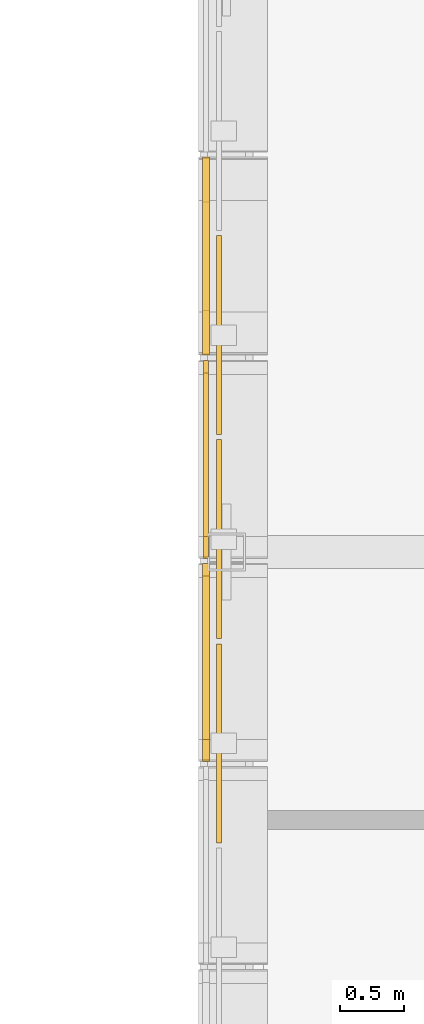
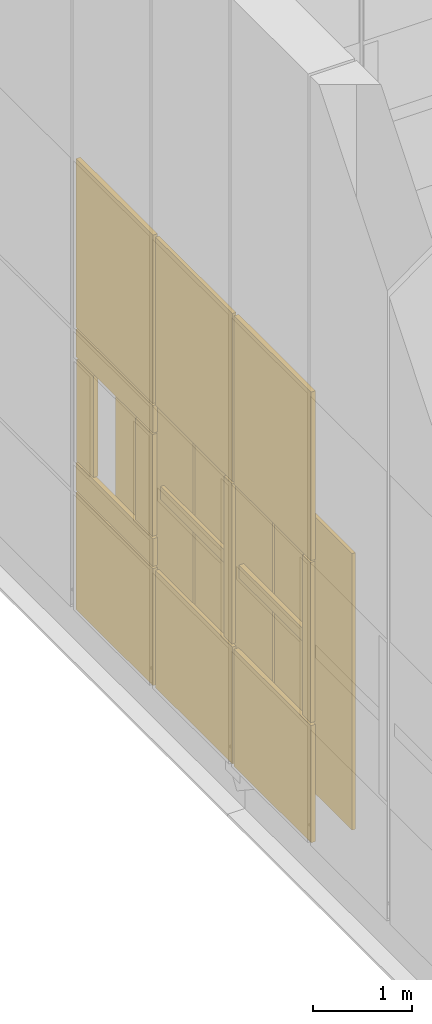
# One storey, part 136 of 144: 14 coverings, 3 shading devices.
"""IFC4 building model written with IfcOpenShell, lengths in metres."""

from ifc_helpers import new_model, si_unit, direction, frame, origin, origin_2d, place, context, subcontext, project, spatial, rectangle, extrude, material, layer, layer_set, type_object, element, save


model = new_model("IFC4")

# Units and contexts
model_context = context("Model", 3, precision=1e-05, world=origin(), true_north=direction((0.0, 1.0)))
body_context = subcontext(model_context, "Body", "Model", "MODEL_VIEW")
ifc_project = project(units=[si_unit("LENGTHUNIT", "METRE"), si_unit("AREAUNIT", "SQUARE_METRE"), si_unit("VOLUMEUNIT", "CUBIC_METRE"), si_unit("PLANEANGLEUNIT", "RADIAN"), si_unit("MASSUNIT", "GRAM", prefix="KILO")], contexts=[model_context])

# Site, building, storey
site_placement = place(None, origin())
site = spatial("IfcSite", under=ifc_project, at=site_placement, CompositionType="ELEMENT")
building_placement = place(site_placement, origin())
building = spatial("IfcBuilding", under=site, at=building_placement, Name="Yarey Park Central Fire Station", CompositionType="ELEMENT")
storey_placement = place(building_placement, frame((0.0, 0.0, 10.199951171875)))
storey = spatial("IfcBuildingStorey", under=building, at=storey_placement, Name="L03", CompositionType="ELEMENT", Elevation=10.199951171875)

# Coverings
ifc_material_1 = material(Name="Perforated Powder-Coated Aluminium Cladding", Category="aluminium")
ifc_layer_1 = layer(ifc_material_1, 0.0419921875)
ifc_layer_set_1 = layer_set([ifc_layer_1], Name="Perforated Powder-Coated Aluminium Cladding")
covering_type_1 = type_object("IfcCoveringType", Name="ENV_COV_PERF_1", PredefinedType="CLADDING", material=ifc_layer_set_1)
covering_1_placement = place(storey_placement, frame((28.639892578125, 93.427001953125, -0.5048828125), z_axis=(0.0, 0.0, 1.0), x_axis=(0.0, 1.0, 0.0)))
element("IfcCovering", 1, at=covering_1_placement, inside=storey, type_object=covering_type_1, Name="PERF_L03_0755", PredefinedType="CLADDING", context=body_context, shape_type="SweptSolid", body=[
    extrude(rectangle(XDim=1.55224609375, YDim=0.0419921875, at=origin_2d()), origin(), (0.0, 0.0, 1.0), 1.43994140625),
])
covering_2_placement = place(storey_placement, frame((28.639892578125, 92.74072265625, 0.96484375), z_axis=(0.0, 0.0, 1.0), x_axis=(0.0, 1.0, 0.0)))
element("IfcCovering", 2, at=covering_2_placement, inside=storey, type_object=covering_type_1, Name="PERF_L03_0756", PredefinedType="CLADDING", context=body_context, shape_type="SweptSolid", body=[
    extrude(rectangle(XDim=0.159912109375, YDim=0.0419921875, at=origin_2d()), origin(), (0.0, 0.0, 1.0), 1.969970703125),
])
covering_3_placement = place(storey_placement, frame((28.639892578125, 93.427001953125, 1.8701171875), z_axis=(0.0, 0.0, 1.0), x_axis=(0.0, 1.0, 0.0)))
element("IfcCovering", 3, at=covering_3_placement, inside=storey, type_object=covering_type_1, Name="PERF_L03_0757", PredefinedType="CLADDING", context=body_context, shape_type="SweptSolid", body=[
    extrude(rectangle(XDim=1.352294921875, YDim=0.0419921875, at=origin_2d()), origin(), (0.0, 0.0, 1.0), 0.159912109375),
])
covering_4_placement = place(storey_placement, frame((28.639892578125, 93.427001953125, 2.96484375), z_axis=(0.0, 0.0, 1.0), x_axis=(0.0, 1.0, 0.0)))
element("IfcCovering", 4, at=covering_4_placement, inside=storey, type_object=covering_type_1, Name="PERF_L03_0758", PredefinedType="CLADDING", context=body_context, shape_type="SweptSolid", body=[
    extrude(rectangle(XDim=1.55224609375, YDim=0.0419921875, at=origin_2d()), origin(), (0.0, 0.0, 1.0), 2.070068359375),
])
ifc_layer_2 = layer(ifc_material_1, 0.053955078125)
ifc_layer_set_2 = layer_set([ifc_layer_2], Name="Perforated Powder-Coated Aluminium Cladding")
covering_type_2 = type_object("IfcCoveringType", Name="ENV_COV_PERF_2", PredefinedType="CLADDING", material=ifc_layer_set_2)
covering_5_placement = place(storey_placement, frame((28.639892578125, 91.834716796875, -0.5048828125), z_axis=(0.0, 0.0, 1.0), x_axis=(0.0, 1.0, 0.0)))
element("IfcCovering", 5, at=covering_5_placement, inside=storey, type_object=covering_type_2, Name="PERF_L03_0748", PredefinedType="CLADDING", context=body_context, shape_type="SweptSolid", body=[
    extrude(rectangle(XDim=1.55224609375, YDim=0.053955078125, at=origin_2d()), origin(), (0.0, 0.0, 1.0), 1.43994140625),
])
covering_6_placement = place(storey_placement, frame((28.639892578125, 91.1484375, 0.96484375), z_axis=(0.0, 0.0, 1.0), x_axis=(0.0, 1.0, 0.0)))
element("IfcCovering", 6, at=covering_6_placement, inside=storey, type_object=covering_type_2, Name="PERF_L03_0749", PredefinedType="CLADDING", context=body_context, shape_type="SweptSolid", body=[
    extrude(rectangle(XDim=0.159912109375, YDim=0.053955078125, at=origin_2d()), origin(), (0.0, 0.0, 1.0), 1.969970703125),
])
covering_7_placement = place(storey_placement, frame((28.639892578125, 91.834716796875, 1.8701171875), z_axis=(0.0, 0.0, 1.0), x_axis=(0.0, 1.0, 0.0)))
element("IfcCovering", 7, at=covering_7_placement, inside=storey, type_object=covering_type_2, Name="PERF_L03_0750", PredefinedType="CLADDING", context=body_context, shape_type="SweptSolid", body=[
    extrude(rectangle(XDim=1.352294921875, YDim=0.053955078125, at=origin_2d()), origin(), (0.0, 0.0, 1.0), 0.159912109375),
])
covering_8_placement = place(storey_placement, frame((28.639892578125, 91.834716796875, 2.96484375), z_axis=(0.0, 0.0, 1.0), x_axis=(0.0, 1.0, 0.0)))
element("IfcCovering", 8, at=covering_8_placement, inside=storey, type_object=covering_type_2, Name="PERF_L03_0751", PredefinedType="CLADDING", context=body_context, shape_type="SweptSolid", body=[
    extrude(rectangle(XDim=1.55224609375, YDim=0.053955078125, at=origin_2d()), origin(), (0.0, 0.0, 1.0), 2.070068359375),
])
covering_9_placement = place(storey_placement, frame((28.639892578125, 95.019287109375, -0.5048828125), z_axis=(0.0, 0.0, 1.0), x_axis=(0.0, 1.0, 0.0)))
element("IfcCovering", 9, at=covering_9_placement, inside=storey, type_object=covering_type_2, Name="PERF_L03_0762", PredefinedType="CLADDING", context=body_context, shape_type="SweptSolid", body=[
    extrude(rectangle(XDim=1.55224609375, YDim=0.053955078125, at=origin_2d()), origin(), (0.0, 0.0, 1.0), 1.43994140625),
])
for number, where, z_axis, x_axis, name in (
    (10, (28.639892578125, 95.019287109375, 0.9599609375), (0.0, 0.0, 1.0), (0.0, 1.0, 0.0), "PERF_L03_0763"),
    (11, (28.639892578125, 95.019287109375, 2.60009765625), (0.0, 0.0, 1.0), (0.0, 1.0, 0.0), "PERF_L03_0764"),
):
    element("IfcCovering", number, at=place(storey_placement, frame(where, z_axis=z_axis, x_axis=x_axis)), inside=storey, type_object=covering_type_2, Name=name, PredefinedType="CLADDING", context=body_context, shape_type="SweptSolid", body=[
        extrude(rectangle(XDim=1.55224609375, YDim=0.053955078125, at=origin_2d()), origin(), (0.0, 0.0, 1.0), 0.340087890625),
    ])
for number, where, z_axis, x_axis, name in (
    (12, (28.639892578125, 94.423095703125, 1.324951171875), (0.0, 0.0, 1.0), (0.0, 1.0, 0.0), "PERF_L03_0765"),
    (13, (28.639892578125, 95.615234375, 1.324951171875), (0.0, 0.0, 1.0), (0.0, 1.0, 0.0), "PERF_L03_0766"),
):
    element("IfcCovering", number, at=place(storey_placement, frame(where, z_axis=z_axis, x_axis=x_axis)), inside=storey, type_object=covering_type_2, Name=name, PredefinedType="CLADDING", context=body_context, shape_type="SweptSolid", body=[
        extrude(rectangle(XDim=0.340087890625, YDim=0.053955078125, at=origin_2d()), origin(), (0.0, 0.0, 1.0), 1.25),
    ])
covering_10_placement = place(storey_placement, frame((28.639892578125, 95.019287109375, 2.96484375), z_axis=(0.0, 0.0, 1.0), x_axis=(0.0, 1.0, 0.0)))
element("IfcCovering", 14, at=covering_10_placement, inside=storey, type_object=covering_type_2, Name="PERF_L03_0767", PredefinedType="CLADDING", context=body_context, shape_type="SweptSolid", body=[
    extrude(rectangle(XDim=1.55224609375, YDim=0.053955078125, at=origin_2d()), origin(), (0.0, 0.0, 1.0), 2.070068359375),
])

# Shading devices
ifc_material_2 = material(Name="Perforated Powder-Coated Aluminium Screen", Category="aluminium")
ifc_layer_3 = layer(ifc_material_2, 0.0400390625)
ifc_layer_set_3 = layer_set([ifc_layer_3], Name="Perforated Powder-Coated Aluminium Screen")
shading_device_type = type_object("IfcShadingDeviceType", Name="ENV_SHD_SCR_1", PredefinedType="USERDEFINED", material=ifc_layer_set_3)
for number, where, z_axis, x_axis, name in (
    (15, (28.739990234375, 91.199951171875, 0.0), (0.0, 0.0, 1.0), (0.0, 1.0, 0.0), "SCR_L03_SIDE_021"),
    (16, (28.739990234375, 92.800048828125, 0.0), (0.0, 0.0, 1.0), (0.0, 1.0, 0.0), "SCR_L03_SIDE_023"),
    (17, (28.739990234375, 94.39990234375, 0.0), (0.0, 0.0, 1.0), (0.0, 1.0, 0.0), "SCR_L03_SIDE_025"),
):
    element("IfcShadingDevice", number, at=place(storey_placement, frame(where, z_axis=z_axis, x_axis=x_axis)), inside=storey, type_object=shading_device_type, Name=name, ObjectType="SCREEN", PredefinedType="USERDEFINED", context=body_context, shape_type="SweptSolid", body=[
        extrude(rectangle(XDim=1.56005859375, YDim=0.0400390625, at=origin_2d()), origin(), (0.0, 0.0, 1.0), 3.39990234375),
    ])

save(model, "model.ifc")
